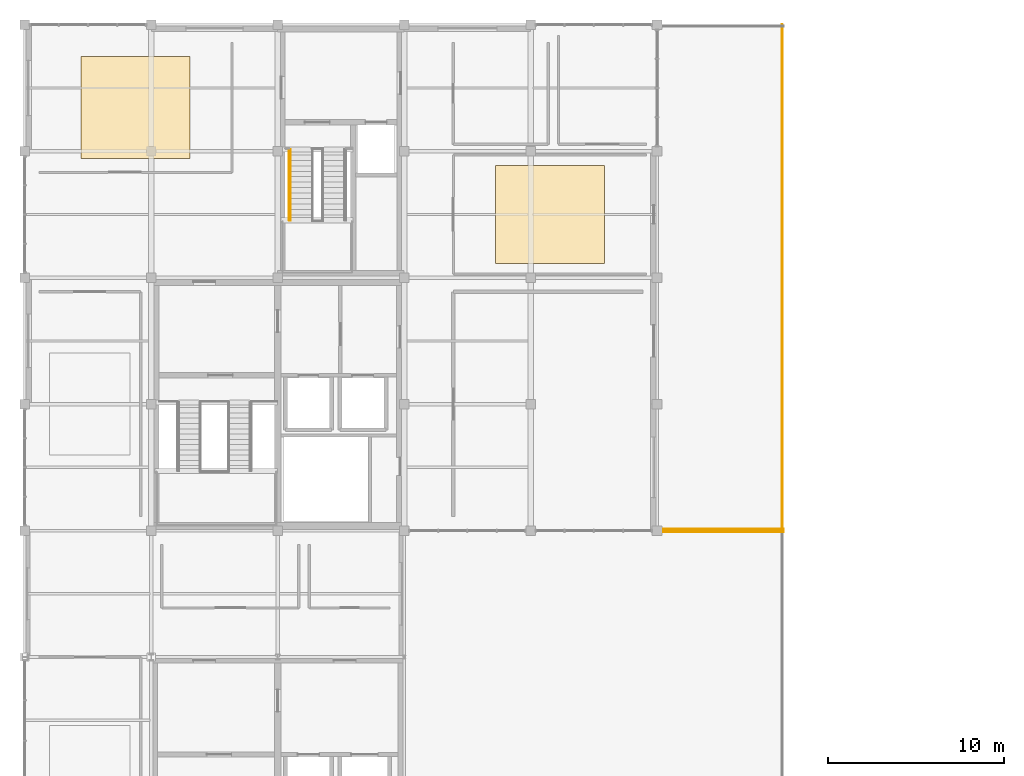
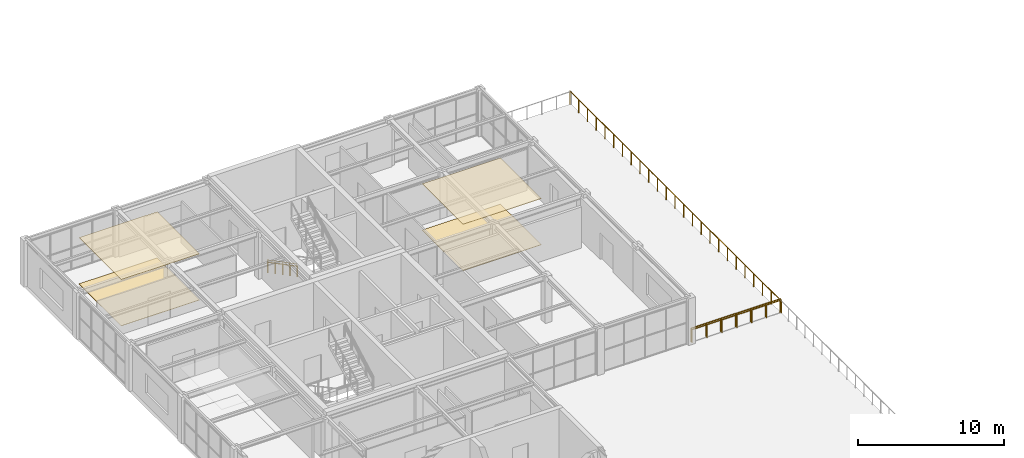
# One storey, part 28 of 30: 5 railings, 4 coverings.
"""IFC4 building model written with IfcOpenShell, lengths in metres."""

from ifc_helpers import new_model, si_unit, direction, frame, origin, origin_2d, place, context, subcontext, project, spatial, rectangle, circle, extrude, material, layer, layer_set, type_object, element, save


model = new_model("IFC4")

# Units and contexts
model_context = context("Model", 3, precision=1e-05, world=origin(), true_north=direction((0.0, 1.0)))
body_context = subcontext(model_context, "Body", "Model", "MODEL_VIEW")
ifc_project = project(units=[si_unit("LENGTHUNIT", "METRE"), si_unit("AREAUNIT", "SQUARE_METRE"), si_unit("VOLUMEUNIT", "CUBIC_METRE"), si_unit("PLANEANGLEUNIT", "RADIAN"), si_unit("MASSUNIT", "GRAM", prefix="KILO")], contexts=[model_context])

# Site, building, storey
site_placement = place(None, origin())
site = spatial("IfcSite", under=ifc_project, at=site_placement, CompositionType="ELEMENT")
building_placement = place(site_placement, origin())
building = spatial("IfcBuilding", under=site, at=building_placement, Name="Leyfeld Transit Interchange", CompositionType="ELEMENT")
storey_placement = place(building_placement, frame((0.0, 0.0, 13.800048828125)))
storey = spatial("IfcBuildingStorey", under=building, at=storey_placement, Name="L03", CompositionType="ELEMENT", Elevation=13.800048828125)

# Coverings
ifc_material_1 = material(Name="Austrian larch acoustic slat ceiling", Category="wood")
ifc_layer_1 = layer(ifc_material_1, 0.0400390625, Name="Austrian larch acoustic slat ceiling")
ifc_layer_set_1 = layer_set([ifc_layer_1], Name="Austrian larch acoustic slat ceiling")
covering_type_1 = type_object("IfcCoveringType", Name="COV-CLG-LRC", PredefinedType="CEILING", material=ifc_layer_set_1)
covering_1_placement = place(storey_placement, frame((6.300048828125, 117.699951171875, 3.864990234375), z_axis=(0.0, 0.0, 1.0), x_axis=(1.0, 0.0, 0.0)))
element("IfcCovering", 1, at=covering_1_placement, inside=storey, type_object=covering_type_1, Name="Acoustic Slat Ceiling Shift Duty Director Suite", PredefinedType="CEILING", context=body_context, shape_type="SweptSolid", body=[
    extrude(rectangle(XDim=6.199951171875, YDim=5.800048828125, at=origin_2d()), origin(), (0.0, 0.0, 1.0), 0.0400390625),
])
covering_2_placement = place(storey_placement, frame((29.89990234375, 111.60009765625, 3.864990234375), z_axis=(0.0, 0.0, 1.0), x_axis=(1.0, 0.0, 0.0)))
element("IfcCovering", 2, at=covering_2_placement, inside=storey, type_object=covering_type_1, Name="Acoustic Slat Ceiling Incident Communications & Dispatch Suite", PredefinedType="CEILING", context=body_context, shape_type="SweptSolid", body=[
    extrude(rectangle(XDim=6.199951171875, YDim=5.60009765625, at=origin_2d()), origin(), (0.0, 0.0, 1.0), 0.0400390625),
])
ifc_material_2 = material(Name="Polished Danube terrazzo flooring", Category="stone")
ifc_layer_2 = layer(ifc_material_2, 0.030029296875, Name="Polished Danube terrazzo flooring")
ifc_layer_set_2 = layer_set([ifc_layer_2], Name="Polished Danube terrazzo flooring")
covering_type_2 = type_object("IfcCoveringType", Name="COV-FLR-TRZ", PredefinedType="FLOORING", material=ifc_layer_set_2)
covering_3_placement = place(storey_placement, frame((6.300048828125, 117.699951171875, 0.0), z_axis=(0.0, 0.0, 1.0), x_axis=(1.0, 0.0, 0.0)))
element("IfcCovering", 3, at=covering_3_placement, inside=storey, type_object=covering_type_2, Name="Terrazzo Flooring Shift Duty Director Suite", PredefinedType="FLOORING", context=body_context, shape_type="SweptSolid", body=[
    extrude(rectangle(XDim=6.199951171875, YDim=5.800048828125, at=origin_2d()), origin(), (0.0, 0.0, 1.0), 0.030029296875),
])
covering_4_placement = place(storey_placement, frame((29.89990234375, 111.60009765625, 0.0), z_axis=(0.0, 0.0, 1.0), x_axis=(1.0, 0.0, 0.0)))
element("IfcCovering", 4, at=covering_4_placement, inside=storey, type_object=covering_type_2, Name="Terrazzo Flooring Incident Communications & Dispatch Suite", PredefinedType="FLOORING", context=body_context, shape_type="SweptSolid", body=[
    extrude(rectangle(XDim=6.199951171875, YDim=5.60009765625, at=origin_2d()), origin(), (0.0, 0.0, 1.0), 0.030029296875),
])

# Railings
ifc_material_3 = material(Name="Stainless steel EN 1.4404", Category="steel")
railing_type_1 = type_object("IfcRailingType", Name="RL-BAL-1100", PredefinedType="BALUSTRADE", material=ifc_material_3)
railing_1_placement = place(storey_placement, frame((36.1201171875, 93.52001953125, 0.0)))
element("IfcRailing", 5, at=railing_1_placement, inside=storey, type_object=railing_type_1, Name="Terrace Balustrade L03 006", PredefinedType="BALUSTRADE", context=body_context, shape_type="SweptSolid", body=[
    extrude(circle(Radius=0.02392578125, at=origin_2d()), frame((0.0, 0.0, 1.09619140625), z_axis=(1.0, 0.0, 0.0), x_axis=(0.0, 1.0, 0.0)), (0.0, 0.0, 1.0), 7.079833984375),
    extrude(circle(Radius=0.02099609375, at=origin_2d()), origin(), (0.0, 0.0, 1.0), 1.072021484375),
    extrude(circle(Radius=0.02099609375, at=origin_2d()), frame((1.179931640625, 0.0, 0.0)), (0.0, 0.0, 1.0), 1.072021484375),
    extrude(circle(Radius=0.02099609375, at=origin_2d()), frame((2.35986328125, 0.0, 0.0)), (0.0, 0.0, 1.0), 1.072021484375),
    extrude(circle(Radius=0.02099609375, at=origin_2d()), frame((3.5400390625, 0.0, 0.0)), (0.0, 0.0, 1.0), 1.072021484375),
    extrude(circle(Radius=0.02099609375, at=origin_2d()), frame((4.719970703125, 0.0, 0.0)), (0.0, 0.0, 1.0), 1.072021484375),
    extrude(circle(Radius=0.02099609375, at=origin_2d()), frame((5.89990234375, 0.0, 0.0)), (0.0, 0.0, 1.0), 1.072021484375),
    extrude(circle(Radius=0.02099609375, at=origin_2d()), frame((7.079833984375, 0.0, 0.0)), (0.0, 0.0, 1.0), 1.072021484375),
])
railing_2_placement = place(storey_placement, frame((43.1201171875, 93.60009765625, 0.0)))
element("IfcRailing", 6, at=railing_2_placement, inside=storey, type_object=railing_type_1, Name="Terrace Balustrade L03 010", PredefinedType="BALUSTRADE", context=body_context, shape_type="SweptSolid", body=[
    extrude(circle(Radius=0.02392578125, at=origin_2d()), frame((0.0, 0.0, 1.09619140625), z_axis=(0.0, 1.0, 0.0), x_axis=(-1.0, 0.0, 0.0)), (0.0, 0.0, 1.0), 28.7998046875),
    extrude(circle(Radius=0.02099609375, at=origin_2d()), origin(), (0.0, 0.0, 1.0), 1.072021484375),
    extrude(circle(Radius=0.02099609375, at=origin_2d()), frame((0.0, 1.199951171875, 0.0)), (0.0, 0.0, 1.0), 1.072021484375),
    extrude(circle(Radius=0.02099609375, at=origin_2d()), frame((0.0, 2.39990234375, 0.0)), (0.0, 0.0, 1.0), 1.072021484375),
    extrude(circle(Radius=0.02099609375, at=origin_2d()), frame((0.0, 3.60009765625, 0.0)), (0.0, 0.0, 1.0), 1.072021484375),
    extrude(circle(Radius=0.02099609375, at=origin_2d()), frame((0.0, 4.800048828125, 0.0)), (0.0, 0.0, 1.0), 1.072021484375),
    extrude(circle(Radius=0.02099609375, at=origin_2d()), frame((0.0, 6.0, 0.0)), (0.0, 0.0, 1.0), 1.072021484375),
    extrude(circle(Radius=0.02099609375, at=origin_2d()), frame((0.0, 7.199951171875, 0.0)), (0.0, 0.0, 1.0), 1.072021484375),
    extrude(circle(Radius=0.02099609375, at=origin_2d()), frame((0.0, 8.39990234375, 0.0)), (0.0, 0.0, 1.0), 1.072021484375),
    extrude(circle(Radius=0.02099609375, at=origin_2d()), frame((0.0, 9.599853515625, 0.0)), (0.0, 0.0, 1.0), 1.072021484375),
    extrude(circle(Radius=0.02099609375, at=origin_2d()), frame((0.0, 10.7998046875, 0.0)), (0.0, 0.0, 1.0), 1.072021484375),
    extrude(circle(Radius=0.02099609375, at=origin_2d()), frame((0.0, 12.0, 0.0)), (0.0, 0.0, 1.0), 1.072021484375),
    extrude(circle(Radius=0.02099609375, at=origin_2d()), frame((0.0, 13.199951171875, 0.0)), (0.0, 0.0, 1.0), 1.072021484375),
    extrude(circle(Radius=0.02099609375, at=origin_2d()), frame((0.0, 14.39990234375, 0.0)), (0.0, 0.0, 1.0), 1.072021484375),
    extrude(circle(Radius=0.02099609375, at=origin_2d()), frame((0.0, 15.599853515625, 0.0)), (0.0, 0.0, 1.0), 1.072021484375),
    extrude(circle(Radius=0.02099609375, at=origin_2d()), frame((0.0, 16.7998046875, 0.0)), (0.0, 0.0, 1.0), 1.072021484375),
    extrude(circle(Radius=0.02099609375, at=origin_2d()), frame((0.0, 18.0, 0.0)), (0.0, 0.0, 1.0), 1.072021484375),
    extrude(circle(Radius=0.02099609375, at=origin_2d()), frame((0.0, 19.199951171875, 0.0)), (0.0, 0.0, 1.0), 1.072021484375),
    extrude(circle(Radius=0.02099609375, at=origin_2d()), frame((0.0, 20.39990234375, 0.0)), (0.0, 0.0, 1.0), 1.072021484375),
    extrude(circle(Radius=0.02099609375, at=origin_2d()), frame((0.0, 21.599853515625, 0.0)), (0.0, 0.0, 1.0), 1.072021484375),
    extrude(circle(Radius=0.02099609375, at=origin_2d()), frame((0.0, 22.7998046875, 0.0)), (0.0, 0.0, 1.0), 1.072021484375),
    extrude(circle(Radius=0.02099609375, at=origin_2d()), frame((0.0, 23.999755859375, 0.0)), (0.0, 0.0, 1.0), 1.072021484375),
    extrude(circle(Radius=0.02099609375, at=origin_2d()), frame((0.0, 25.19970703125, 0.0)), (0.0, 0.0, 1.0), 1.072021484375),
    extrude(circle(Radius=0.02099609375, at=origin_2d()), frame((0.0, 26.39990234375, 0.0)), (0.0, 0.0, 1.0), 1.072021484375),
    extrude(circle(Radius=0.02099609375, at=origin_2d()), frame((0.0, 27.599853515625, 0.0)), (0.0, 0.0, 1.0), 1.072021484375),
    extrude(circle(Radius=0.02099609375, at=origin_2d()), frame((0.0, 28.7998046875, 0.0)), (0.0, 0.0, 1.0), 1.072021484375),
])
railing_3_placement = place(storey_placement, frame((36.1201171875, 93.679931640625, 0.0)))
element("IfcRailing", 7, at=railing_3_placement, inside=storey, type_object=railing_type_1, Name="Terrace Balustrade L03 012", PredefinedType="BALUSTRADE", context=body_context, shape_type="SweptSolid", body=[
    extrude(circle(Radius=0.02392578125, at=origin_2d()), frame((0.0, 0.0, 1.09619140625), z_axis=(1.0, 0.0, 0.0), x_axis=(0.0, 1.0, 0.0)), (0.0, 0.0, 1.0), 7.079833984375),
    extrude(circle(Radius=0.02099609375, at=origin_2d()), origin(), (0.0, 0.0, 1.0), 1.072021484375),
    extrude(circle(Radius=0.02099609375, at=origin_2d()), frame((1.179931640625, 0.0, 0.0)), (0.0, 0.0, 1.0), 1.072021484375),
    extrude(circle(Radius=0.02099609375, at=origin_2d()), frame((2.35986328125, 0.0, 0.0)), (0.0, 0.0, 1.0), 1.072021484375),
    extrude(circle(Radius=0.02099609375, at=origin_2d()), frame((3.5400390625, 0.0, 0.0)), (0.0, 0.0, 1.0), 1.072021484375),
    extrude(circle(Radius=0.02099609375, at=origin_2d()), frame((4.719970703125, 0.0, 0.0)), (0.0, 0.0, 1.0), 1.072021484375),
    extrude(circle(Radius=0.02099609375, at=origin_2d()), frame((5.89990234375, 0.0, 0.0)), (0.0, 0.0, 1.0), 1.072021484375),
    extrude(circle(Radius=0.02099609375, at=origin_2d()), frame((7.079833984375, 0.0, 0.0)), (0.0, 0.0, 1.0), 1.072021484375),
])
railing_type_2 = type_object("IfcRailingType", Name="RL-STR-GRD-1100", PredefinedType="GUARDRAIL", material=ifc_material_3)
railing_4_placement = place(storey_placement, frame((15.06005859375, 115.300048828125, 0.0)))
element("IfcRailing", 8, at=railing_4_placement, inside=storey, type_object=railing_type_2, Name="Stair ST-02 L03 F1 Outer Guard", PredefinedType="GUARDRAIL", context=body_context, shape_type="SweptSolid", body=[
    extrude(circle(Radius=0.02392578125, at=origin_2d()), frame((0.0, 0.0, 1.09619140625), z_axis=(0.0, -0.886834740388, 0.462086726969), x_axis=(1.0, 0.0, 0.0)), (0.0, 0.0, 1.0), 4.544189453125),
    extrude(circle(Radius=0.02099609375, at=origin_2d()), origin(), (0.0, 0.0, 1.0), 1.072021484375),
    extrude(circle(Radius=0.02099609375, at=origin_2d()), frame((0.0, -1.007568359375, 0.52490234375)), (0.0, 0.0, 1.0), 1.072021484375),
    extrude(circle(Radius=0.02099609375, at=origin_2d()), frame((0.0, -2.01513671875, 1.0498046875)), (0.0, 0.0, 1.0), 1.072021484375),
    extrude(circle(Radius=0.02099609375, at=origin_2d()), frame((0.0, -3.0224609375, 1.574951171875)), (0.0, 0.0, 1.0), 1.072021484375),
    extrude(circle(Radius=0.02099609375, at=origin_2d()), frame((0.0, -4.030029296875, 2.099853515625)), (0.0, 0.0, 1.0), 1.072021484375),
])
railing_type_3 = type_object("IfcRailingType", Name="RL-STR-HND-900", PredefinedType="HANDRAIL", material=ifc_material_3)
railing_5_placement = place(storey_placement, frame((15.1201171875, 115.300048828125, 0.0)))
element("IfcRailing", 9, at=railing_5_placement, inside=storey, type_object=railing_type_3, Name="Stair ST-02 L03 F1 Handrail", PredefinedType="HANDRAIL", context=body_context, shape_type="SweptSolid", body=[
    extrude(circle(Radius=0.02392578125, at=origin_2d()), frame((0.0, 0.0, 0.8759765625), z_axis=(0.0, -0.886834740388, 0.462086726969), x_axis=(1.0, 0.0, 0.0)), (0.0, 0.0, 1.0), 4.544189453125),
    extrude(circle(Radius=0.02099609375, at=origin_2d()), origin(), (0.0, 0.0, 1.0), 0.851806640625),
    extrude(circle(Radius=0.02099609375, at=origin_2d()), frame((0.0, -1.007568359375, 0.52490234375)), (0.0, 0.0, 1.0), 0.851806640625),
    extrude(circle(Radius=0.02099609375, at=origin_2d()), frame((0.0, -2.01513671875, 1.0498046875)), (0.0, 0.0, 1.0), 0.851806640625),
    extrude(circle(Radius=0.02099609375, at=origin_2d()), frame((0.0, -3.0224609375, 1.574951171875)), (0.0, 0.0, 1.0), 0.851806640625),
    extrude(circle(Radius=0.02099609375, at=origin_2d()), frame((0.0, -4.030029296875, 2.099853515625)), (0.0, 0.0, 1.0), 0.851806640625),
])

save(model, "model.ifc")
